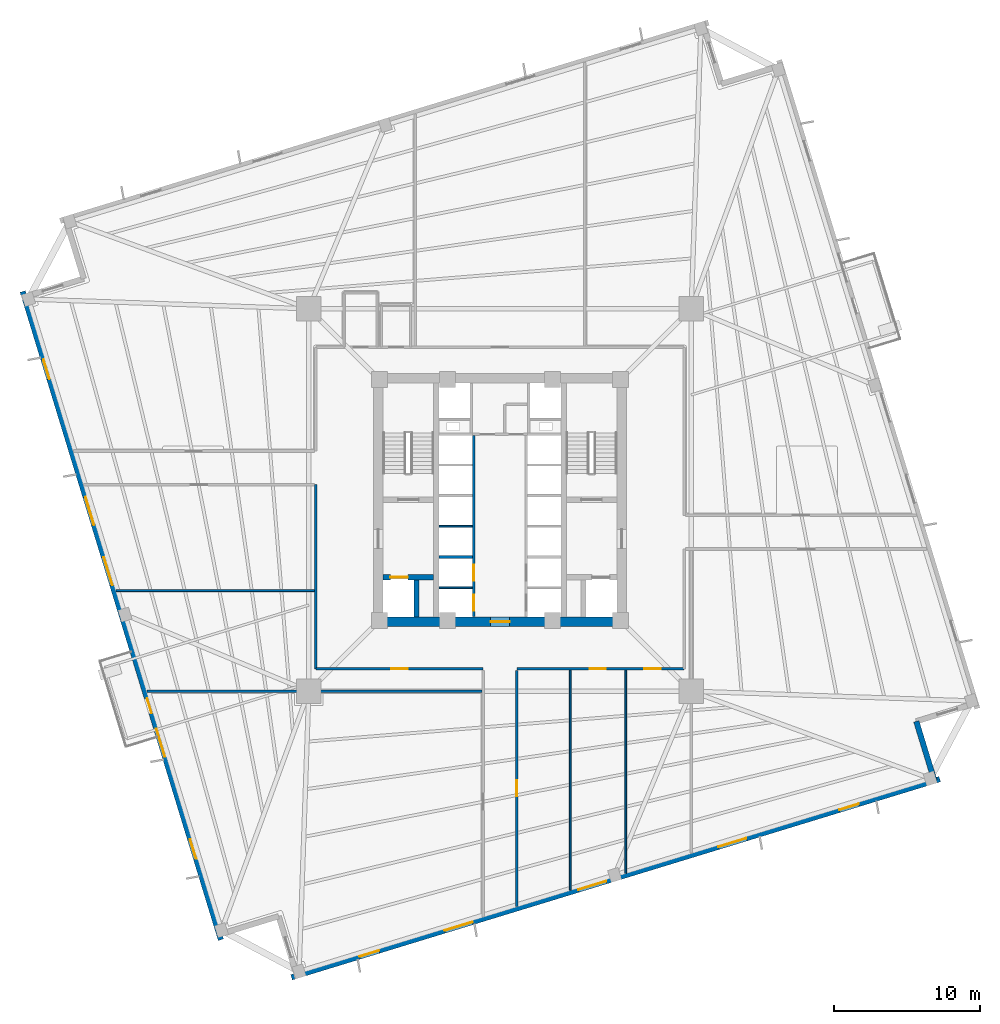
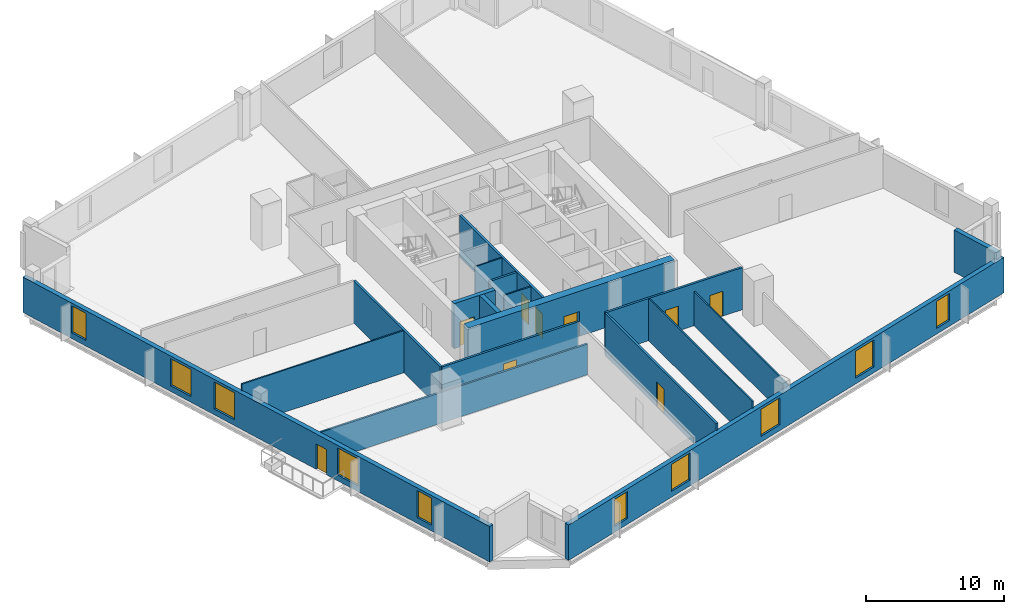
# One storey, part 3 of 9: 18 walls, 10 windows, 9 doors, 19 openings.
"""IFC4 building model written with IfcOpenShell, lengths in metres."""

from ifc_helpers import new_model, si_unit, direction, frame, frame_2d, origin, place, context, subcontext, project, spatial, rectangle, extrude, source, transform, mapped, material, layer, layer_set, type_object, element, fill, save


model = new_model("IFC4")

# Units and contexts
model_context = context("Model", 3, precision=1e-05, world=origin(), true_north=direction((0.0, 1.0)))
body_context = subcontext(model_context, "Body", "Model", "MODEL_VIEW")
ifc_project = project(units=[si_unit("LENGTHUNIT", "METRE"), si_unit("AREAUNIT", "SQUARE_METRE"), si_unit("VOLUMEUNIT", "CUBIC_METRE"), si_unit("PLANEANGLEUNIT", "RADIAN"), si_unit("MASSUNIT", "GRAM", prefix="KILO"), si_unit("THERMODYNAMICTEMPERATUREUNIT", "KELVIN")], contexts=[model_context])

# Site, building, storey
site_placement = place(None, origin())
site = spatial("IfcSite", under=ifc_project, at=site_placement, CompositionType="ELEMENT")
building_placement = place(site_placement, origin())
building = spatial("IfcBuilding", under=site, at=building_placement, Name="Kosmvard Interchange Tower", CompositionType="ELEMENT")
storey_placement = place(building_placement, frame((0.0, 0.0, 107.199951171875)))
storey = spatial("IfcBuildingStorey", under=building, at=storey_placement, Name="L25", CompositionType="ELEMENT", Elevation=107.199951171875)

# Wall
ifc_material_1 = material(Name="Acoustic gypsum partition system")
ifc_layer_1 = layer(ifc_material_1, 0.14990234375, Name="Acoustic gypsum partition system")
ifc_layer_set_1 = layer_set([ifc_layer_1], Name="Acoustic gypsum partition system")
wall_type_1 = type_object("IfcWallType", Name="Acoustic Suite & Meeting Partition 150", PredefinedType="PARTITIONING", material=ifc_layer_set_1)
wall_1_placement = place(storey_placement, frame((-24.16650390625, -13.0810546875, 0.0), z_axis=(0.0, 0.0, 1.0), x_axis=(1.0, 0.0, 0.0)))
element("IfcWall", 1, at=wall_1_placement, inside=storey, type_object=wall_type_1, Name="L25 Room Partition 06.1", PredefinedType="PARTITIONING", context=body_context, shape_type="SweptSolid", body=[
    extrude(rectangle(XDim=22.92138671875, YDim=0.14990234375, at=frame_2d((11.460693359375, 0.0))), origin(), (0.0, 0.0, 1.0), 2.73193359375),
])

# Wall, openings, doors
ifc_material_2 = material(Name="Fire-rated gypsum partition system")
ifc_layer_2 = layer(ifc_material_2, 0.179931640625, Name="Fire-rated gypsum partition system")
ifc_layer_set_2 = layer_set([ifc_layer_2], Name="Fire-rated gypsum partition system")
wall_type_2 = type_object("IfcWallType", Name="Corridor & Hotel Compartment Partition 180", PredefinedType="PARTITIONING", material=ifc_layer_set_2)
wall_2_placement = place(storey_placement, frame((-1.7900390625, -7.97998046875, 0.0), z_axis=(0.0, 0.0, 1.0), x_axis=(0.0, 1.0, 0.0)))
wall_2 = element("IfcWall", 2, at=wall_2_placement, inside=storey, type_object=wall_type_2, Name="L25 West Lift Bank Front Wall", PredefinedType="PARTITIONING", context=body_context, shape_type="SweptSolid", body=[
    extrude(rectangle(XDim=12.3798828125, YDim=0.179931640625, at=frame_2d((6.18994140625, 0.0))), origin(), (0.0, 0.0, 1.0), 3.739990234375),
])
opening_1_placement = place(wall_2_placement, frame((0.39990234375, 0.0, 0.0)))
opening_1 = element("IfcOpeningElement", 3, at=opening_1_placement, cuts=wall_2, Name="Opening LD-PL-L1-L25", PredefinedType="OPENING", context=body_context, shape_type="SweptSolid", body=[
    extrude(rectangle(XDim=1.10009765625, YDim=2.199951171875, at=frame_2d((0.550048828125, 1.10009765625))), frame((0.0, 0.10009765625, 0.0), z_axis=(0.0, -1.0, 0.0), x_axis=(1.0, 0.0, 0.0)), (0.0, 0.0, 1.0), 0.199951171875),
])
opening_2_placement = place(wall_2_placement, frame((2.4599609375, 0.0, 0.0)))
opening_2 = element("IfcOpeningElement", 4, at=opening_2_placement, cuts=wall_2, Name="Opening LD-PL-L2-L25", PredefinedType="OPENING", context=body_context, shape_type="SweptSolid", body=[
    extrude(rectangle(XDim=1.10009765625, YDim=2.199951171875, at=frame_2d((0.550048828125, 1.10009765625))), frame((0.0, 0.10009765625, 0.0), z_axis=(0.0, -1.0, 0.0), x_axis=(1.0, 0.0, 0.0)), (0.0, 0.0, 1.0), 0.199951171875),
])
ifc_material_3 = material(Name="Brushed stainless steel sliding leaf", Category="steel")
door_type_1 = type_object("IfcDoorType", Name="Passenger Lift Sliding Landing Door 1100x2200 EI60", OperationType="DOUBLE_DOOR_SLIDING", PredefinedType="DOOR", material=ifc_material_3)
shared_shape_1 = source(origin(), body_context, "Body", "SweptSolid", [
    extrude(rectangle(XDim=1.10009765625, YDim=2.199951171875, at=frame_2d((0.550048828125, 1.10009765625))), frame((0.0, 0.02490234375, 0.0), z_axis=(0.0, -1.0, 0.0), x_axis=(1.0, 0.0, 0.0)), (0.0, 0.0, 1.0), 0.050048828125),
])
door_1_placement = place(opening_1_placement, frame((1.10009765625, 0.0, 0.0), z_axis=(0.0, 0.0, 1.0), x_axis=(-1.0, 0.0, 0.0)))
door_1 = element("IfcDoor", 5, at=door_1_placement, inside=storey, type_object=door_type_1, Name="Lift PL-L1 Landing Door L25", OperationType="DOUBLE_DOOR_SLIDING", OverallHeight=2.199951171875, OverallWidth=1.10009765625, PredefinedType="DOOR", context=body_context, shape_type="MappedRepresentation", body=[
    mapped(shared_shape_1, transform((0.0, 0.0, 0.0), scale=1.0)),
])
fill(opening_1, door_1)
door_2_placement = place(opening_2_placement, frame((1.10009765625, 0.0, 0.0), z_axis=(0.0, 0.0, 1.0), x_axis=(-1.0, 0.0, 0.0)))
door_2 = element("IfcDoor", 6, at=door_2_placement, inside=storey, type_object=door_type_1, Name="Lift PL-L2 Landing Door L25", OperationType="DOUBLE_DOOR_SLIDING", OverallHeight=2.199951171875, OverallWidth=1.10009765625, PredefinedType="DOOR", context=body_context, shape_type="MappedRepresentation", body=[
    mapped(shared_shape_1, transform((0.0, 0.0, 0.0), scale=1.0)),
])
fill(opening_2, door_2)

# Wall, opening, door
wall_3_placement = place(storey_placement, frame((-12.60009765625, -11.550048828125, 0.0), z_axis=(0.0, 0.0, 1.0), x_axis=(1.0, 0.0, 0.0)))
wall_3 = element("IfcWall", 7, at=wall_3_placement, inside=storey, type_object=wall_type_2, Name="L25 Corridor Wall CSW", PredefinedType="PARTITIONING", context=body_context, shape_type="SweptSolid", body=[
    extrude(rectangle(XDim=11.4501953125, YDim=0.179931640625, at=frame_2d((5.72509765625, 0.0))), origin(), (0.0, 0.0, 1.0), 3.739990234375),
])
opening_3_placement = place(wall_3_placement, frame((5.175048828125, 0.0, 0.0)))
opening_3 = element("IfcOpeningElement", 8, at=opening_3_placement, cuts=wall_3, Name="Opening L25-D11", PredefinedType="OPENING", context=body_context, shape_type="SweptSolid", body=[
    extrude(rectangle(XDim=1.10009765625, YDim=2.199951171875, at=frame_2d((0.550048828125, 1.10009765625))), frame((0.0, 0.10009765625, 0.0), z_axis=(0.0, -1.0, 0.0), x_axis=(1.0, 0.0, 0.0)), (0.0, 0.0, 1.0), 0.199951171875),
])
ifc_material_4 = material(Name="Engineered oak fire-rated timber", Category="wood")
door_type_2 = type_object("IfcDoorType", Name="Office Suite Entrance Door 1100x2200 FD30S", OperationType="NOTDEFINED", PredefinedType="DOOR", material=ifc_material_4)
door_3_placement = place(opening_3_placement, frame((1.10009765625, 0.0, 0.0), z_axis=(0.0, 0.0, 1.0), x_axis=(-1.0, 0.0, 0.0)))
door_3 = element("IfcDoor", 9, at=door_3_placement, inside=storey, type_object=door_type_2, Name="L25 West Analytics Office 2 Door", OperationType="SINGLE_SWING_LEFT", OverallHeight=2.199951171875, OverallWidth=1.10009765625, PredefinedType="DOOR", context=body_context, shape_type="MappedRepresentation", body=[
    mapped(shared_shape_1, transform((0.0, 0.0, 0.0), scale=1.0)),
])
fill(opening_3, door_3)

# Wall, openings, doors
wall_4_placement = place(storey_placement, frame((1.14990234375, -11.550048828125, 0.0), z_axis=(0.0, 0.0, 1.0), x_axis=(1.0, 0.0, 0.0)))
wall_4 = element("IfcWall", 10, at=wall_4_placement, inside=storey, type_object=wall_type_2, Name="L25 Corridor Wall CSE", PredefinedType="PARTITIONING", context=body_context, shape_type="SweptSolid", body=[
    extrude(rectangle(XDim=11.4501953125, YDim=0.179931640625, at=frame_2d((5.72509765625, 0.0))), origin(), (0.0, 0.0, 1.0), 3.739990234375),
])
opening_4_placement = place(wall_4_placement, frame((5.0, 0.0, 0.0)))
opening_4 = element("IfcOpeningElement", 11, at=opening_4_placement, cuts=wall_4, Name="Opening L25-D07", PredefinedType="OPENING", context=body_context, shape_type="SweptSolid", body=[
    extrude(rectangle(XDim=1.10009765625, YDim=2.199951171875, at=frame_2d((0.550048828125, 1.10009765625))), frame((0.0, 0.10009765625, 0.0), z_axis=(0.0, -1.0, 0.0), x_axis=(1.0, 0.0, 0.0)), (0.0, 0.0, 1.0), 0.199951171875),
])
opening_5_placement = place(wall_4_placement, frame((8.735595703125, 0.0, 0.0)))
opening_5 = element("IfcOpeningElement", 12, at=opening_5_placement, cuts=wall_4, Name="Opening L25-D08", PredefinedType="OPENING", context=body_context, shape_type="SweptSolid", body=[
    extrude(rectangle(XDim=1.10009765625, YDim=2.199951171875, at=frame_2d((0.550048828125, 1.10009765625))), frame((0.0, 0.10009765625, 0.0), z_axis=(0.0, -1.0, 0.0), x_axis=(1.0, 0.0, 0.0)), (0.0, 0.0, 1.0), 0.199951171875),
])
door_4_placement = place(opening_4_placement, frame((1.10009765625, 0.0, 0.0), z_axis=(0.0, 0.0, 1.0), x_axis=(-1.0, 0.0, 0.0)))
door_4 = element("IfcDoor", 13, at=door_4_placement, inside=storey, type_object=door_type_2, Name="L25 Corporate Banking Kiosk Door", OperationType="SINGLE_SWING_LEFT", OverallHeight=2.199951171875, OverallWidth=1.10009765625, PredefinedType="DOOR", context=body_context, shape_type="MappedRepresentation", body=[
    mapped(shared_shape_1, transform((0.0, 0.0, 0.0), scale=1.0)),
])
fill(opening_4, door_4)
door_5_placement = place(opening_5_placement, frame((1.10009765625, 0.0, 0.0), z_axis=(0.0, 0.0, 1.0), x_axis=(-1.0, 0.0, 0.0)))
door_5 = element("IfcDoor", 14, at=door_5_placement, inside=storey, type_object=door_type_2, Name="L25 East Risk Office Door", OperationType="SINGLE_SWING_RIGHT", OverallHeight=2.199951171875, OverallWidth=1.10009765625, PredefinedType="DOOR", context=body_context, shape_type="MappedRepresentation", body=[
    mapped(shared_shape_1, transform((0.0, 0.0, 0.0), scale=1.0)),
])
fill(opening_5, door_5)

# Wall
wall_5_placement = place(storey_placement, frame((-12.60009765625, -11.550048828125, 0.0), z_axis=(0.0, 0.0, 1.0), x_axis=(0.0, 1.0, 0.0)))
element("IfcWall", 15, at=wall_5_placement, inside=storey, type_object=wall_type_2, Name="L25 Corridor Wall CWS", PredefinedType="PARTITIONING", context=body_context, shape_type="SweptSolid", body=[
    extrude(rectangle(XDim=12.60009765625, YDim=0.179931640625, at=frame_2d((6.300048828125, 0.0))), origin(), (0.0, 0.0, 1.0), 3.739990234375),
])

# Wall, opening, door
wall_6_placement = place(storey_placement, frame((1.14990234375, -27.814208984375, 0.0), z_axis=(0.0, 0.0, 1.0), x_axis=(0.0, 1.0, 0.0)))
wall_6 = element("IfcWall", 16, at=wall_6_placement, inside=storey, type_object=wall_type_2, Name="L25 Corridor Wall SSE", PredefinedType="PARTITIONING", context=body_context, shape_type="SweptSolid", body=[
    extrude(rectangle(XDim=16.164306640625, YDim=0.179931640625, at=frame_2d((8.08203125, 0.0))), origin(), (0.0, 0.0, 1.0), 3.739990234375),
])
opening_6_placement = place(wall_6_placement, frame((7.531982421875, 0.0, 0.0)))
opening_6 = element("IfcOpeningElement", 17, at=opening_6_placement, cuts=wall_6, Name="Opening L25-D06", PredefinedType="OPENING", context=body_context, shape_type="SweptSolid", body=[
    extrude(rectangle(XDim=1.10009765625, YDim=2.199951171875, at=frame_2d((0.550048828125, 1.10009765625))), frame((0.0, 0.10009765625, 0.0), z_axis=(0.0, -1.0, 0.0), x_axis=(1.0, 0.0, 0.0)), (0.0, 0.0, 1.0), 0.199951171875),
])
door_6_placement = place(opening_6_placement, frame((1.10009765625, 0.0, 0.0), z_axis=(0.0, 0.0, 1.0), x_axis=(-1.0, 0.0, 0.0)))
door_6 = element("IfcDoor", 18, at=door_6_placement, inside=storey, type_object=door_type_2, Name="L25 Exchange Travel Shop Door", OperationType="SINGLE_SWING_RIGHT", OverallHeight=2.199951171875, OverallWidth=1.10009765625, PredefinedType="DOOR", context=body_context, shape_type="MappedRepresentation", body=[
    mapped(shared_shape_1, transform((0.0, 0.0, 0.0), scale=1.0)),
])
fill(opening_6, door_6)

# Wall, openings, windows
ifc_material_5 = material(Name="Precast concrete C45/55", Category="concrete")
ifc_layer_3 = layer(ifc_material_5, 0.3798828125, Name="Precast concrete C45/55")
ifc_layer_set_3 = layer_set([ifc_layer_3], Name="Precast concrete C45/55")
wall_type_3 = type_object("IfcWallType", Name="Lower Tower Precast Pier Wall 380 C45/55", PredefinedType="STANDARD", material=ifc_layer_set_3)
wall_7_placement = place(storey_placement, frame((-14.26513671875, -32.65771484375, 0.0), z_axis=(0.0, 0.0, 1.0), x_axis=(0.956304320851, 0.292373127906, 0.0)))
wall_7 = element("IfcWall", 19, at=wall_7_placement, inside=storey, type_object=wall_type_3, Name="L25 Precast Facade Wall F-S", PredefinedType="STANDARD", context=body_context, shape_type="SweptSolid", body=[
    extrude(rectangle(XDim=46.380126953125, YDim=0.3798828125, at=frame_2d((23.18994140625, 0.0))), origin(), (0.0, 0.0, 1.0), 3.14013671875),
])
opening_7_placement = place(wall_7_placement, frame((4.865478515625, 0.0, 0.510009765625)))
opening_7 = element("IfcOpeningElement", 20, at=opening_7_placement, cuts=wall_7, Name="Opening L25-W01", PredefinedType="OPENING", context=body_context, shape_type="SweptSolid", body=[
    extrude(rectangle(XDim=1.39990234375, YDim=2.39990234375, at=frame_2d((0.699951171875, 1.199951171875))), frame((0.0, 0.199951171875, 0.0), z_axis=(0.0, -1.0, 0.0), x_axis=(1.0, 0.0, 0.0)), (0.0, 0.0, 1.0), 0.39990234375),
])
opening_8_placement = place(wall_7_placement, frame((10.9501953125, 0.0, 0.510009765625)))
opening_8 = element("IfcOpeningElement", 21, at=opening_8_placement, cuts=wall_7, Name="Opening L25-W02", PredefinedType="OPENING", context=body_context, shape_type="SweptSolid", body=[
    extrude(rectangle(XDim=2.0, YDim=2.39990234375, at=frame_2d((1.0, 1.199951171875))), frame((0.0, 0.199951171875, 0.0), z_axis=(0.0, -1.0, 0.0), x_axis=(1.0, 0.0, 0.0)), (0.0, 0.0, 1.0), 0.39990234375),
])
opening_9_placement = place(wall_7_placement, frame((20.512451171875, 0.0, 0.510009765625)))
opening_9 = element("IfcOpeningElement", 22, at=opening_9_placement, cuts=wall_7, Name="Opening L25-W03", PredefinedType="OPENING", context=body_context, shape_type="SweptSolid", body=[
    extrude(rectangle(XDim=2.0, YDim=2.39990234375, at=frame_2d((1.0, 1.199951171875))), frame((0.0, 0.199951171875, 0.0), z_axis=(0.0, -1.0, 0.0), x_axis=(1.0, 0.0, 0.0)), (0.0, 0.0, 1.0), 0.39990234375),
])
opening_10_placement = place(wall_7_placement, frame((30.538330078125, 0.0, 0.510009765625)))
opening_10 = element("IfcOpeningElement", 23, at=opening_10_placement, cuts=wall_7, Name="Opening L25-W04", PredefinedType="OPENING", context=body_context, shape_type="SweptSolid", body=[
    extrude(rectangle(XDim=2.0, YDim=2.39990234375, at=frame_2d((1.0, 1.199951171875))), frame((0.0, 0.199951171875, 0.0), z_axis=(0.0, -1.0, 0.0), x_axis=(1.0, 0.0, 0.0)), (0.0, 0.0, 1.0), 0.39990234375),
])
opening_11_placement = place(wall_7_placement, frame((39.186767578125, 0.0, 0.510009765625)))
opening_11 = element("IfcOpeningElement", 24, at=opening_11_placement, cuts=wall_7, Name="Opening L25-W05", PredefinedType="OPENING", context=body_context, shape_type="SweptSolid", body=[
    extrude(rectangle(XDim=1.39990234375, YDim=2.39990234375, at=frame_2d((0.699951171875, 1.199951171875))), frame((0.0, 0.199951171875, 0.0), z_axis=(0.0, -1.0, 0.0), x_axis=(1.0, 0.0, 0.0)), (0.0, 0.0, 1.0), 0.39990234375),
])
ifc_material_6 = material(Name="Low-E solar-control double glazing", Category="glass")
window_type_1 = type_object("IfcWindowType", Name="Notched Corner Feature Window 1400x2400", PartitioningType="SINGLE_PANEL", PredefinedType="WINDOW", material=ifc_material_6)
shared_shape_2 = source(origin(), body_context, "Body", "SweptSolid", [
    extrude(rectangle(XDim=1.39990234375, YDim=2.39990234375, at=frame_2d((0.699951171875, 1.199951171875))), frame((0.0, 0.030029296875, 0.0), z_axis=(0.0, -1.0, 0.0), x_axis=(1.0, 0.0, 0.0)), (0.0, 0.0, 1.0), 0.06005859375),
])
window_1_placement = place(opening_7_placement, origin())
window_1 = element("IfcWindow", 25, at=window_1_placement, inside=storey, type_object=window_type_1, Name="L25 Facade Punched Window 01", OverallHeight=2.39990234375, OverallWidth=1.39990234375, PartitioningType="SINGLE_PANEL", PredefinedType="WINDOW", context=body_context, shape_type="MappedRepresentation", body=[
    mapped(shared_shape_2, transform((0.0, 0.0, 0.0), scale=1.0)),
])
fill(opening_7, window_1)
window_2_placement = place(opening_11_placement, origin())
window_2 = element("IfcWindow", 26, at=window_2_placement, inside=storey, type_object=window_type_1, Name="L25 Facade Punched Window 05", OverallHeight=2.39990234375, OverallWidth=1.39990234375, PartitioningType="SINGLE_PANEL", PredefinedType="WINDOW", context=body_context, shape_type="MappedRepresentation", body=[
    mapped(shared_shape_2, transform((0.0, 0.0, 0.0), scale=1.0)),
])
fill(opening_11, window_2)
window_type_2 = type_object("IfcWindowType", Name="Zone 2 Office Punched Window 2000x2400", PartitioningType="SINGLE_PANEL", PredefinedType="WINDOW", material=ifc_material_6)
shared_shape_3 = source(origin(), body_context, "Body", "SweptSolid", [
    extrude(rectangle(XDim=2.0, YDim=2.39990234375, at=frame_2d((1.0, 1.199951171875))), frame((0.0, 0.030029296875, 0.0), z_axis=(0.0, -1.0, 0.0), x_axis=(1.0, 0.0, 0.0)), (0.0, 0.0, 1.0), 0.06005859375),
])
window_3_placement = place(opening_8_placement, origin())
window_3 = element("IfcWindow", 27, at=window_3_placement, inside=storey, type_object=window_type_2, Name="L25 Facade Punched Window 02", OverallHeight=2.39990234375, OverallWidth=2.0, PartitioningType="SINGLE_PANEL", PredefinedType="WINDOW", context=body_context, shape_type="MappedRepresentation", body=[
    mapped(shared_shape_3, transform((0.0, 0.0, 0.0), scale=1.0)),
])
fill(opening_8, window_3)
window_4_placement = place(opening_9_placement, origin())
window_4 = element("IfcWindow", 28, at=window_4_placement, inside=storey, type_object=window_type_2, Name="L25 Facade Punched Window 03", OverallHeight=2.39990234375, OverallWidth=2.0, PartitioningType="SINGLE_PANEL", PredefinedType="WINDOW", context=body_context, shape_type="MappedRepresentation", body=[
    mapped(shared_shape_3, transform((0.0, 0.0, 0.0), scale=1.0)),
])
fill(opening_9, window_4)
window_5_placement = place(opening_10_placement, origin())
window_5 = element("IfcWindow", 29, at=window_5_placement, inside=storey, type_object=window_type_2, Name="L25 Facade Punched Window 04", OverallHeight=2.39990234375, OverallWidth=2.0, PartitioningType="SINGLE_PANEL", PredefinedType="WINDOW", context=body_context, shape_type="MappedRepresentation", body=[
    mapped(shared_shape_3, transform((0.0, 0.0, 0.0), scale=1.0)),
])
fill(opening_10, window_5)

# Wall
wall_8_placement = place(storey_placement, frame((29.724853515625, -19.20849609375, 0.0), z_axis=(0.0, 0.0, 1.0), x_axis=(-0.292345507338, 0.956312764915, 0.0)))
element("IfcWall", 30, at=wall_8_placement, inside=storey, type_object=wall_type_3, Name="L25 Precast Facade Wall N-SE1", PredefinedType="STANDARD", context=body_context, shape_type="SweptSolid", body=[
    extrude(rectangle(XDim=4.249755859375, YDim=0.3798828125, at=frame_2d((2.125, 0.0))), origin(), (0.0, 0.0, 1.0), 3.739990234375),
])

# Wall, openings, door, windows
wall_9_placement = place(storey_placement, frame((-32.65771484375, 14.26513671875, 0.0), z_axis=(0.0, 0.0, 1.0), x_axis=(0.292373127906, -0.956304320851, 0.0)))
wall_9 = element("IfcWall", 31, at=wall_9_placement, inside=storey, type_object=wall_type_3, Name="L25 Precast Facade Wall F-W", PredefinedType="STANDARD", context=body_context, shape_type="SweptSolid", body=[
    extrude(rectangle(XDim=46.380126953125, YDim=0.3798828125, at=frame_2d((23.18994140625, 0.0))), origin(), (0.0, 0.0, 1.0), 3.14013671875),
])
opening_12_placement = place(wall_9_placement, frame((29.114990234375, 0.0, 0.0)))
opening_12 = element("IfcOpeningElement", 32, at=opening_12_placement, cuts=wall_9, Name="Opening L25-BDW", PredefinedType="OPENING", context=body_context, shape_type="SweptSolid", body=[
    extrude(rectangle(XDim=1.050048828125, YDim=2.25, at=frame_2d((0.52490234375, 1.125))), frame((0.0, 0.199951171875, 0.0), z_axis=(0.0, -1.0, 0.0), x_axis=(1.0, 0.0, 0.0)), (0.0, 0.0, 1.0), 0.39990234375),
])
opening_13_placement = place(wall_9_placement, frame((4.865478515625, 0.0, 0.510009765625)))
opening_13 = element("IfcOpeningElement", 33, at=opening_13_placement, cuts=wall_9, Name="Opening L25-W15", PredefinedType="OPENING", context=body_context, shape_type="SweptSolid", body=[
    extrude(rectangle(XDim=1.39990234375, YDim=2.39990234375, at=frame_2d((0.699951171875, 1.199951171875))), frame((0.0, 0.199951171875, 0.0), z_axis=(0.0, -1.0, 0.0), x_axis=(1.0, 0.0, 0.0)), (0.0, 0.0, 1.0), 0.39990234375),
])
opening_14_placement = place(wall_9_placement, frame((14.7001953125, 0.0, 0.510009765625)))
opening_14 = element("IfcOpeningElement", 34, at=opening_14_placement, cuts=wall_9, Name="Opening L25-W16", PredefinedType="OPENING", context=body_context, shape_type="SweptSolid", body=[
    extrude(rectangle(XDim=2.0, YDim=2.39990234375, at=frame_2d((1.0, 1.199951171875))), frame((0.0, 0.199951171875, 0.0), z_axis=(0.0, -1.0, 0.0), x_axis=(1.0, 0.0, 0.0)), (0.0, 0.0, 1.0), 0.39990234375),
])
opening_15_placement = place(wall_9_placement, frame((19.012451171875, 0.0, 0.510009765625)))
opening_15 = element("IfcOpeningElement", 35, at=opening_15_placement, cuts=wall_9, Name="Opening L25-W17", PredefinedType="OPENING", context=body_context, shape_type="SweptSolid", body=[
    extrude(rectangle(XDim=2.0, YDim=2.39990234375, at=frame_2d((1.0, 1.199951171875))), frame((0.0, 0.199951171875, 0.0), z_axis=(0.0, -1.0, 0.0), x_axis=(1.0, 0.0, 0.0)), (0.0, 0.0, 1.0), 0.39990234375),
])
opening_16_placement = place(wall_9_placement, frame((31.288330078125, 0.0, 0.510009765625)))
opening_16 = element("IfcOpeningElement", 36, at=opening_16_placement, cuts=wall_9, Name="Opening L25-W18", PredefinedType="OPENING", context=body_context, shape_type="SweptSolid", body=[
    extrude(rectangle(XDim=2.0, YDim=2.39990234375, at=frame_2d((1.0, 1.199951171875))), frame((0.0, 0.199951171875, 0.0), z_axis=(0.0, -1.0, 0.0), x_axis=(1.0, 0.0, 0.0)), (0.0, 0.0, 1.0), 0.39990234375),
])
opening_17_placement = place(wall_9_placement, frame((39.186767578125, 0.0, 0.510009765625)))
opening_17 = element("IfcOpeningElement", 37, at=opening_17_placement, cuts=wall_9, Name="Opening L25-W19", PredefinedType="OPENING", context=body_context, shape_type="SweptSolid", body=[
    extrude(rectangle(XDim=1.39990234375, YDim=2.39990234375, at=frame_2d((0.699951171875, 1.199951171875))), frame((0.0, 0.199951171875, 0.0), z_axis=(0.0, -1.0, 0.0), x_axis=(1.0, 0.0, 0.0)), (0.0, 0.0, 1.0), 0.39990234375),
])
ifc_material_7 = material(Name="Anodised aluminium and safety glass", Category="aluminium")
door_type_3 = type_object("IfcDoorType", Name="Tree-Balcony Glazed Door 1050x2250", OperationType="NOTDEFINED", PredefinedType="DOOR", material=ifc_material_7)
shared_shape_4 = source(origin(), body_context, "Body", "SweptSolid", [
    extrude(rectangle(XDim=1.050048828125, YDim=2.25, at=frame_2d((0.52490234375, 1.125))), frame((0.0, 0.02490234375, 0.0), z_axis=(0.0, -1.0, 0.0), x_axis=(1.0, 0.0, 0.0)), (0.0, 0.0, 1.0), 0.050048828125),
])
door_7_placement = place(opening_12_placement, origin())
door_7 = element("IfcDoor", 38, at=door_7_placement, inside=storey, type_object=door_type_3, Name="L25 Tree-Balcony Door BAL-L25-W", OperationType="SINGLE_SWING_RIGHT", OverallHeight=2.25, OverallWidth=1.050048828125, PredefinedType="DOOR", context=body_context, shape_type="MappedRepresentation", body=[
    mapped(shared_shape_4, transform((0.0, 0.0, 0.0), scale=1.0)),
])
fill(opening_12, door_7)
window_6_placement = place(opening_13_placement, origin())
window_6 = element("IfcWindow", 39, at=window_6_placement, inside=storey, type_object=window_type_1, Name="L25 Facade Punched Window 15", OverallHeight=2.39990234375, OverallWidth=1.39990234375, PartitioningType="SINGLE_PANEL", PredefinedType="WINDOW", context=body_context, shape_type="MappedRepresentation", body=[
    mapped(shared_shape_2, transform((0.0, 0.0, 0.0), scale=1.0)),
])
fill(opening_13, window_6)
window_7_placement = place(opening_17_placement, origin())
window_7 = element("IfcWindow", 40, at=window_7_placement, inside=storey, type_object=window_type_1, Name="L25 Facade Punched Window 19", OverallHeight=2.39990234375, OverallWidth=1.39990234375, PartitioningType="SINGLE_PANEL", PredefinedType="WINDOW", context=body_context, shape_type="MappedRepresentation", body=[
    mapped(shared_shape_2, transform((0.0, 0.0, 0.0), scale=1.0)),
])
fill(opening_17, window_7)
window_8_placement = place(opening_14_placement, origin())
window_8 = element("IfcWindow", 41, at=window_8_placement, inside=storey, type_object=window_type_2, Name="L25 Facade Punched Window 16", OverallHeight=2.39990234375, OverallWidth=2.0, PartitioningType="SINGLE_PANEL", PredefinedType="WINDOW", context=body_context, shape_type="MappedRepresentation", body=[
    mapped(shared_shape_3, transform((0.0, 0.0, 0.0), scale=1.0)),
])
fill(opening_14, window_8)
window_9_placement = place(opening_15_placement, origin())
window_9 = element("IfcWindow", 42, at=window_9_placement, inside=storey, type_object=window_type_2, Name="L25 Facade Punched Window 17", OverallHeight=2.39990234375, OverallWidth=2.0, PartitioningType="SINGLE_PANEL", PredefinedType="WINDOW", context=body_context, shape_type="MappedRepresentation", body=[
    mapped(shared_shape_3, transform((0.0, 0.0, 0.0), scale=1.0)),
])
fill(opening_15, window_9)
window_10_placement = place(opening_16_placement, origin())
window_10 = element("IfcWindow", 43, at=window_10_placement, inside=storey, type_object=window_type_2, Name="L25 Facade Punched Window 18", OverallHeight=2.39990234375, OverallWidth=2.0, PartitioningType="SINGLE_PANEL", PredefinedType="WINDOW", context=body_context, shape_type="MappedRepresentation", body=[
    mapped(shared_shape_3, transform((0.0, 0.0, 0.0), scale=1.0)),
])
fill(opening_16, window_10)

# Wall, opening, door
ifc_material_8 = material(Name="Concrete C70/85", Category="concrete")
ifc_layer_4 = layer(ifc_material_8, 0.64990234375, Name="Concrete C70/85")
ifc_layer_set_4 = layer_set([ifc_layer_4], Name="Concrete C70/85")
wall_type_4 = type_object("IfcWallType", Name="Mid Core Shear Wall 650 C70/85", PredefinedType="SHEAR", material=ifc_layer_set_4)
wall_10_placement = place(storey_placement, frame((-8.64990234375, -8.324951171875, 0.0), z_axis=(0.0, 0.0, 1.0), x_axis=(1.0, 0.0, 0.0)))
wall_10 = element("IfcWall", 44, at=wall_10_placement, inside=storey, type_object=wall_type_4, Name="L25 Core Shear Wall CW-S", PredefinedType="SHEAR", context=body_context, shape_type="SweptSolid", body=[
    extrude(rectangle(XDim=17.2998046875, YDim=0.64990234375, at=frame_2d((8.64990234375, 0.0))), origin(), (0.0, 0.0, 1.0), 4.0),
])
opening_18_placement = place(wall_10_placement, frame((8.0, 0.0, 0.0)))
opening_18 = element("IfcOpeningElement", 45, at=opening_18_placement, cuts=wall_10, Name="Opening L25-LD0", PredefinedType="OPENING", context=body_context, shape_type="SweptSolid", body=[
    extrude(rectangle(XDim=1.300048828125, YDim=2.199951171875, at=frame_2d((0.64990234375, 1.10009765625))), frame((0.0, 0.3349609375, 0.0), z_axis=(0.0, -1.0, 0.0), x_axis=(1.0, 0.0, 0.0)), (0.0, 0.0, 1.0), 0.669921875),
])
ifc_material_9 = material(Name="Painted fire-rated steel leaf", Category="steel")
door_type_4 = type_object("IfcDoorType", Name="Firefighting Lobby Door 1300x2200 EI60", OperationType="NOTDEFINED", PredefinedType="DOOR", material=ifc_material_9)
shared_shape_5 = source(origin(), body_context, "Body", "SweptSolid", [
    extrude(rectangle(XDim=1.300048828125, YDim=2.199951171875, at=frame_2d((0.64990234375, 1.10009765625))), frame((0.0, 0.02490234375, 0.0), z_axis=(0.0, -1.0, 0.0), x_axis=(1.0, 0.0, 0.0)), (0.0, 0.0, 1.0), 0.050048828125),
])
door_8_placement = place(opening_18_placement, frame((1.300048828125, 0.0, 0.0), z_axis=(0.0, 0.0, 1.0), x_axis=(-1.0, 0.0, 0.0)))
door_8 = element("IfcDoor", 46, at=door_8_placement, inside=storey, type_object=door_type_4, Name="L25 Passenger Lift Lobby South Door", OperationType="SINGLE_SWING_RIGHT", OverallHeight=2.199951171875, OverallWidth=1.300048828125, PredefinedType="DOOR", context=body_context, shape_type="MappedRepresentation", body=[
    mapped(shared_shape_5, transform((0.0, 0.0, 0.0), scale=1.0)),
])
fill(opening_18, door_8)

# Walls
ifc_material_10 = material(Name="Gypsum board partition system")
ifc_layer_5 = layer(ifc_material_10, 0.1201171875, Name="Gypsum board partition system")
ifc_layer_set_5 = layer_set([ifc_layer_5], Name="Gypsum board partition system")
wall_type_5 = type_object("IfcWallType", Name="Office Cellular Partition 120", PredefinedType="PARTITIONING", material=ifc_layer_set_5)
wall_11_placement = place(storey_placement, frame((4.800048828125, -26.6982421875, 0.0), z_axis=(0.0, 0.0, 1.0), x_axis=(0.0, 1.0, 0.0)))
element("IfcWall", 47, at=wall_11_placement, inside=storey, type_object=wall_type_5, Name="L25 Room Partition 03.1", PredefinedType="PARTITIONING", context=body_context, shape_type="SweptSolid", body=[
    extrude(rectangle(XDim=15.05322265625, YDim=0.1201171875, at=frame_2d((7.526611328125, 0.0))), origin(), (0.0, 0.0, 1.0), 3.739990234375),
])
wall_12_placement = place(storey_placement, frame((8.60009765625, -25.536376953125, 0.0), z_axis=(0.0, 0.0, 1.0), x_axis=(0.0, 1.0, 0.0)))
element("IfcWall", 48, at=wall_12_placement, inside=storey, type_object=wall_type_5, Name="L25 Room Partition 04.1", PredefinedType="PARTITIONING", context=body_context, shape_type="SweptSolid", body=[
    extrude(rectangle(XDim=13.891357421875, YDim=0.1201171875, at=frame_2d((6.94580078125, 0.0))), origin(), (0.0, 0.0, 1.0), 3.0400390625),
])
wall_13_placement = place(storey_placement, frame((-26.270263671875, -6.199951171875, 0.0), z_axis=(0.0, 0.0, 1.0), x_axis=(1.0, 0.0, 0.0)))
element("IfcWall", 49, at=wall_13_placement, inside=storey, type_object=wall_type_5, Name="L25 Room Partition 07.1", PredefinedType="PARTITIONING", context=body_context, shape_type="SweptSolid", body=[
    extrude(rectangle(XDim=13.5751953125, YDim=0.1201171875, at=frame_2d((6.78759765625, 0.0))), origin(), (0.0, 0.0, 1.0), 3.739990234375),
])
ifc_material_11 = material(Name="Concrete blockwork masonry", Category="masonry")
ifc_layer_6 = layer(ifc_material_11, 0.179931640625, Name="Concrete blockwork masonry")
ifc_layer_set_6 = layer_set([ifc_layer_6], Name="Concrete blockwork masonry")
wall_type_6 = type_object("IfcWallType", Name="Riser & Lift Bank Divider Wall 180", PredefinedType="PARTITIONING", material=ifc_layer_set_6)
wall_14_placement = place(storey_placement, frame((-4.169921875, -3.89990234375, 0.0), z_axis=(0.0, 0.0, 1.0), x_axis=(1.0, 0.0, 0.0)))
element("IfcWall", 50, at=wall_14_placement, inside=storey, type_object=wall_type_6, Name="L25 West Bank Divider BD1", PredefinedType="PARTITIONING", context=body_context, shape_type="SweptSolid", body=[
    extrude(rectangle(XDim=2.280029296875, YDim=0.179931640625, at=frame_2d((1.14013671875, 0.0))), origin(), (0.0, 0.0, 1.0), 3.739990234375),
])
ifc_material_12 = material(Name="Fire-rated gypsum shaftwall system")
ifc_layer_7 = layer(ifc_material_12, 0.1201171875, Name="Fire-rated gypsum shaftwall system")
ifc_layer_set_7 = layer_set([ifc_layer_7], Name="Fire-rated gypsum shaftwall system")
wall_type_7 = type_object("IfcWallType", Name="Shaft & Riser Fire Partition 120 EI60", PredefinedType="PARTITIONING", material=ifc_layer_set_7)
for number, where, z_axis, x_axis, name in (
    (51, (-4.159912109375, -6.0, 0.0), (0.0, 0.0, 1.0), (1.0, 0.0, 0.0), "L25 Shaft Divider PL-L1"),
    (52, (-4.159912109375, -1.800048828125, 0.0), (0.0, 0.0, 1.0), (1.0, 0.0, 0.0), "L25 Shaft Divider PL-M1"),
):
    element("IfcWall", number, at=place(storey_placement, frame(where, z_axis=z_axis, x_axis=x_axis)), inside=storey, type_object=wall_type_7, Name=name, PredefinedType="PARTITIONING", context=body_context, shape_type="SweptSolid", body=[
        extrude(rectangle(XDim=2.260009765625, YDim=0.1201171875, at=frame_2d((1.1298828125, 0.0))), origin(), (0.0, 0.0, 1.0), 3.739990234375),
    ])

# Wall, opening, door
ifc_material_13 = material(Name="Concrete C60/75", Category="concrete")
ifc_layer_8 = layer(ifc_material_13, 0.360107421875, Name="Concrete C60/75")
ifc_layer_set_8 = layer_set([ifc_layer_8], Name="Concrete C60/75")
wall_type_8 = type_object("IfcWallType", Name="Stair & Lift Shaft Shear Wall 360 C60/75", PredefinedType="SHEAR", material=ifc_layer_set_8)
wall_15_placement = place(storey_placement, frame((-8.0, -5.280029296875, 0.0), z_axis=(0.0, 0.0, 1.0), x_axis=(1.0, 0.0, 0.0)))
wall_15 = element("IfcWall", 53, at=wall_15_placement, inside=storey, type_object=wall_type_8, Name="L25 Shaft Shear Wall SW-FF1", PredefinedType="SHEAR", context=body_context, shape_type="SweptSolid", body=[
    extrude(rectangle(XDim=3.4599609375, YDim=0.360107421875, at=frame_2d((1.72998046875, 0.0))), origin(), (0.0, 0.0, 1.0), 4.0),
])
opening_19_placement = place(wall_15_placement, frame((0.5, 0.0, 0.0)))
opening_19 = element("IfcOpeningElement", 54, at=opening_19_placement, cuts=wall_15, Name="Opening LD-FF-1-L25", PredefinedType="OPENING", context=body_context, shape_type="SweptSolid", body=[
    extrude(rectangle(XDim=1.199951171875, YDim=2.25, at=frame_2d((0.60009765625, 1.125))), frame((0.0, 0.18994140625, 0.0), z_axis=(0.0, -1.0, 0.0), x_axis=(1.0, 0.0, 0.0)), (0.0, 0.0, 1.0), 0.380126953125),
])
door_type_5 = type_object("IfcDoorType", Name="Firefighting Lift Sliding Landing Door 1200x2250 EI120", OperationType="DOUBLE_DOOR_SLIDING", PredefinedType="DOOR", material=ifc_material_3)
shared_shape_6 = source(origin(), body_context, "Body", "SweptSolid", [
    extrude(rectangle(XDim=1.199951171875, YDim=2.25, at=frame_2d((0.60009765625, 1.125))), frame((0.0, 0.02490234375, 0.0), z_axis=(0.0, -1.0, 0.0), x_axis=(1.0, 0.0, 0.0)), (0.0, 0.0, 1.0), 0.050048828125),
])
door_9_placement = place(opening_19_placement, origin())
door_9 = element("IfcDoor", 55, at=door_9_placement, inside=storey, type_object=door_type_5, Name="Lift FF-1 Landing Door L25", OperationType="DOUBLE_DOOR_SLIDING", OverallHeight=2.25, OverallWidth=1.199951171875, PredefinedType="DOOR", context=body_context, shape_type="MappedRepresentation", body=[
    mapped(shared_shape_6, transform((0.0, 0.0, 0.0), scale=1.0)),
])
fill(opening_19, door_9)

# Wall
wall_16_placement = place(storey_placement, frame((-5.7099609375, -8.0, 0.0), z_axis=(0.0, 0.0, 1.0), x_axis=(0.0, 1.0, 0.0)))
element("IfcWall", 56, at=wall_16_placement, inside=storey, type_object=wall_type_8, Name="L25 Shaft Shear Wall SW-SM1", PredefinedType="SHEAR", context=body_context, shape_type="SweptSolid", body=[
    extrude(rectangle(XDim=2.5400390625, YDim=0.360107421875, at=frame_2d((1.27001953125, 0.0))), origin(), (0.0, 0.0, 1.0), 4.0),
])

save(model, "model.ifc")
